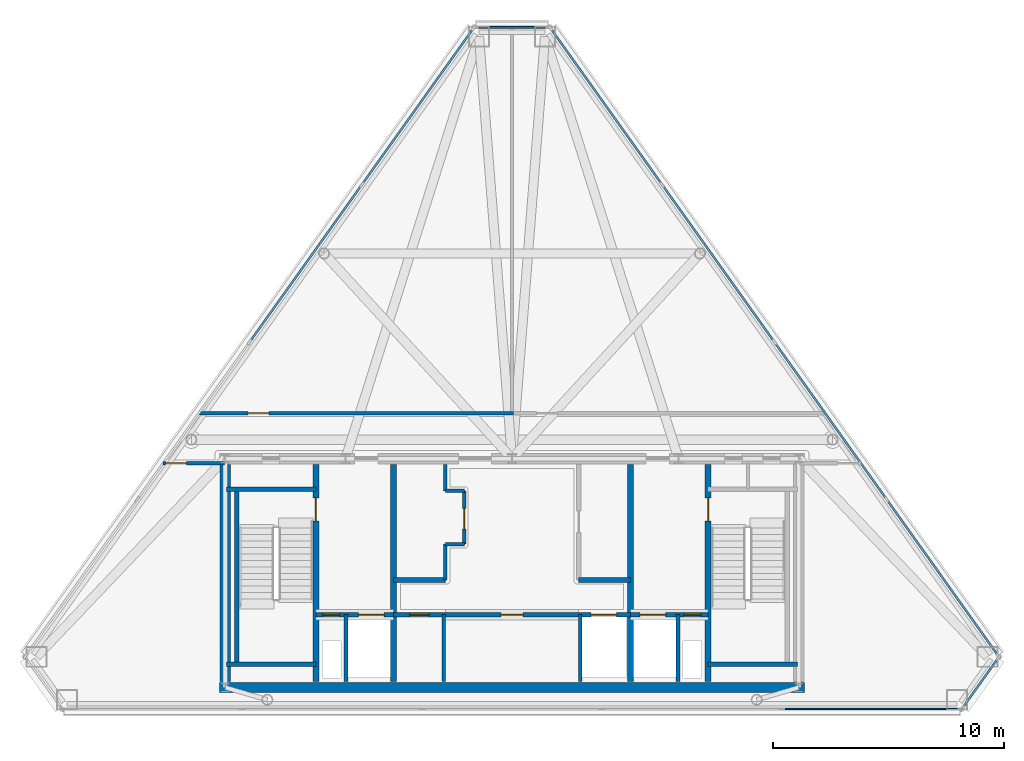
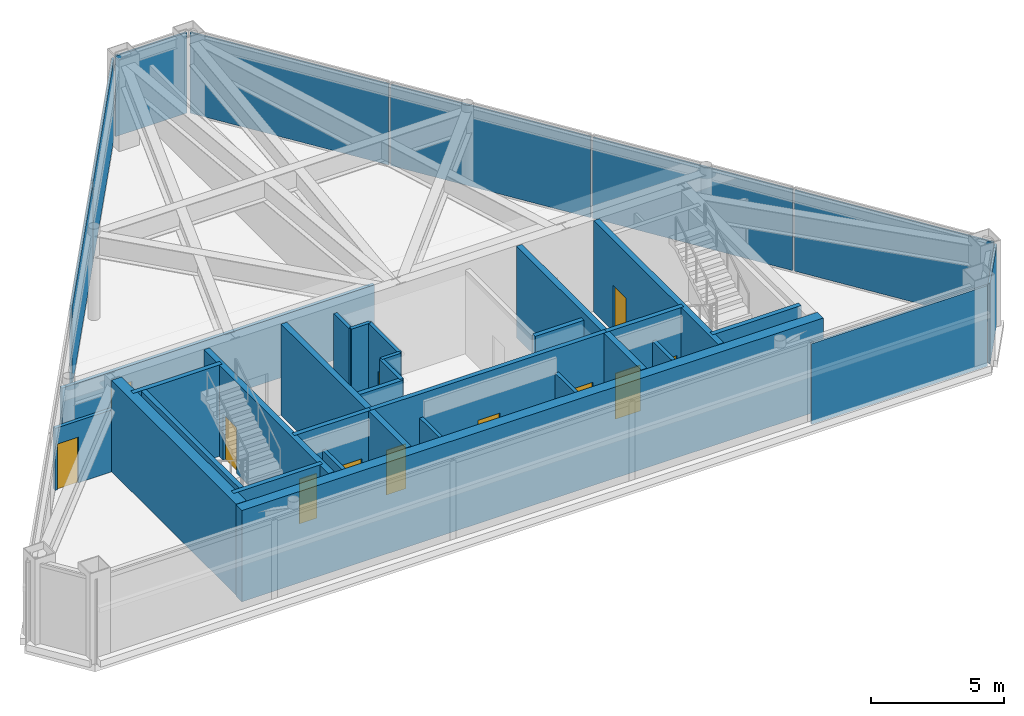
# One storey, part 3 of 5: 26 walls, 12 doors, 9 plates, 12 openings, 5 elements without a shape of their own.
"""IFC4 building model written with IfcOpenShell, lengths in metres."""

from ifc_helpers import new_model, si_unit, direction, frame, frame_2d, origin, origin_2d, place, context, subcontext, project, spatial, rectangle, extrude, source, transform, mapped, material, layer, layer_set, type_object, type_shapes, element, fill, aggregate, save


model = new_model("IFC4")

# Units and contexts
model_context = context("Model", 3, precision=1e-05, world=origin(), true_north=direction((0.0, 1.0)))
body_context = subcontext(model_context, "Body", "Model", "MODEL_VIEW")
ifc_project = project(units=[si_unit("LENGTHUNIT", "METRE"), si_unit("AREAUNIT", "SQUARE_METRE"), si_unit("VOLUMEUNIT", "CUBIC_METRE"), si_unit("PLANEANGLEUNIT", "RADIAN"), si_unit("MASSUNIT", "GRAM", prefix="KILO")], contexts=[model_context])

# Site, building, storey
site_placement = place(None, origin())
site = spatial("IfcSite", under=ifc_project, at=site_placement, CompositionType="ELEMENT")
building_placement = place(site_placement, origin())
building = spatial("IfcBuilding", under=site, at=building_placement, Name="Talgorran Terracotta Tower", CompositionType="ELEMENT")
storey_placement = place(building_placement, frame((0.0, 0.0, 301.800048828125)))
storey = spatial("IfcBuildingStorey", under=building, at=storey_placement, Name="L79", CompositionType="ELEMENT", Elevation=301.800048828125)

# Curtain wall, plate
ifc_material_1 = material(Name="Anodised Aluminium Louvre", Category="aluminium")
ifc_layer_1 = layer(ifc_material_1, 0.25, Name="CW_SYS4_LOUVRE")
ifc_layer_set_1 = layer_set([ifc_layer_1], Name="Anodised Aluminium Louvre")
curtain_wall_type = type_object("IfcCurtainWallType", Name="CW_SYS4_LOUVRE", PredefinedType="NOTDEFINED", material=ifc_layer_set_1)
curtain_wall_1_placement = place(storey_placement, origin())
curtain_wall_1 = element("IfcCurtainWall", 1, at=curtain_wall_1_placement, inside=storey, type_object=curtain_wall_type, Name="CW-L79-F2", PredefinedType="NOTDEFINED")
ifc_material_2 = material(Name="Anodised Aluminium Louvre Panel", Category="aluminium")
ifc_layer_2 = layer(ifc_material_2, 0.0849609375, Name="PLT_LOUVRE_BLADE")
ifc_layer_set_2 = layer_set([ifc_layer_2], Name="Anodised Aluminium Louvre Panel")
plate_type = type_object("IfcPlateType", Name="PLT_LOUVRE_BLADE", PredefinedType="CURTAIN_PANEL", material=ifc_layer_set_2)
shared_shape_1 = source(origin(), body_context, "Body", "SweptSolid", [
    extrude(rectangle(XDim=2.6005859375, YDim=0.0849609375, at=origin_2d()), origin(), (0.0, 0.0, 1.0), 3.7099609375),
])
plate_1_placement = place(storey_placement, frame((20.25341796875, -13.90234375, 0.0849609375), z_axis=(0.0, 0.0, 1.0), x_axis=(0.580760085543, 0.814074765018, 0.0)))
plate_1 = element("IfcPlate", 2, at=plate_1_placement, type_object=plate_type, Name="CW-L79-2 panel 1.1", PredefinedType="CURTAIN_PANEL", context=body_context, shape_type="MappedRepresentation", body=[
    mapped(shared_shape_1, transform((0.0, 0.0, 0.0), scale=1.0)),
])
aggregate(curtain_wall_1, [plate_1])

curtain_wall_2_placement = place(storey_placement, origin())
curtain_wall_2 = element("IfcCurtainWall", 3, at=curtain_wall_2_placement, inside=storey, type_object=curtain_wall_type, Name="CW-L79-F1", PredefinedType="NOTDEFINED")
shared_shape_2 = source(origin(), body_context, "Body", "SweptSolid", [
    extrude(rectangle(XDim=7.652099609375, YDim=0.0849609375, at=origin_2d()), origin(), (0.0, 0.0, 1.0), 3.7099609375),
])
plate_2_placement = place(storey_placement, frame((15.537841796875, -15.030029296875, 0.0849609375), z_axis=(0.0, 0.0, 1.0), x_axis=(1.0, 0.0, 0.0)))
plate_2 = element("IfcPlate", 4, at=plate_2_placement, type_object=plate_type, Name="CW-L79-1 panel 5.1", PredefinedType="CURTAIN_PANEL", context=body_context, shape_type="MappedRepresentation", body=[
    mapped(shared_shape_2, transform((0.0, 0.0, 0.0), scale=1.0)),
])
aggregate(curtain_wall_2, [plate_2])

# Curtain wall, plates
curtain_wall_3_placement = place(storey_placement, origin())
curtain_wall_3 = element("IfcCurtainWall", 5, at=curtain_wall_3_placement, inside=storey, type_object=curtain_wall_type, Name="CW-L79-F3", PredefinedType="NOTDEFINED")
shared_shape_3 = source(origin(), body_context, "Body", "SweptSolid", [
    extrude(rectangle(XDim=8.234375, YDim=0.0849609375, at=origin_2d()), origin(), (0.0, 0.0, 1.0), 3.7099609375),
])
plate_3_placement = place(storey_placement, frame((18.617431640625, -9.353759765625, 0.0849609375), z_axis=(0.0, 0.0, 1.0), x_axis=(-0.580758445224, 0.814075935218, 0.0)))
plate_3 = element("IfcPlate", 6, at=plate_3_placement, type_object=plate_type, Name="CW-L79-3 panel 1.1", PredefinedType="CURTAIN_PANEL", context=body_context, shape_type="MappedRepresentation", body=[
    mapped(shared_shape_3, transform((0.0, 0.0, 0.0), scale=1.0)),
])
plate_4_placement = place(storey_placement, frame((4.0732421875, 11.03369140625, 0.0849609375), z_axis=(0.0, 0.0, 1.0), x_axis=(-0.580758445224, 0.814075935218, 0.0)))
plate_4 = element("IfcPlate", 7, at=plate_4_placement, type_object=plate_type, Name="CW-L79-3 panel 4.1", PredefinedType="CURTAIN_PANEL", context=body_context, shape_type="MappedRepresentation", body=[
    mapped(shared_shape_3, transform((0.0, 0.0, 0.0), scale=1.0)),
])

# Curtain wall, plate
curtain_wall_4_placement = place(storey_placement, origin())
curtain_wall_4 = element("IfcCurtainWall", 8, at=curtain_wall_4_placement, inside=storey, type_object=curtain_wall_type, Name="CW-L79-F5", PredefinedType="NOTDEFINED")
plate_5_placement = place(storey_placement, frame((-4.0732421875, 11.03369140625, 0.0849609375), z_axis=(0.0, 0.0, 1.0), x_axis=(-0.580758445224, -0.814075935218, 0.0)))
plate_5 = element("IfcPlate", 9, at=plate_5_placement, type_object=plate_type, Name="CW-L79-5 panel 1.1", PredefinedType="CURTAIN_PANEL", context=body_context, shape_type="MappedRepresentation", body=[
    mapped(shared_shape_3, transform((0.0, 0.0, 0.0), scale=1.0)),
])

# Plate
shared_shape_4 = source(origin(), body_context, "Body", "SweptSolid", [
    extrude(rectangle(XDim=8.277099609375, YDim=0.0849609375, at=origin_2d()), origin(), (0.0, 0.0, 1.0), 3.7099609375),
])
plate_6_placement = place(storey_placement, frame((13.7734375, -2.563720703125, 0.0849609375), z_axis=(0.0, 0.0, 1.0), x_axis=(-0.580758445224, 0.814075935218, 0.0)))
plate_6 = element("IfcPlate", 10, at=plate_6_placement, type_object=plate_type, Name="CW-L79-3 panel 2.1", PredefinedType="CURTAIN_PANEL", context=body_context, shape_type="MappedRepresentation", body=[
    mapped(shared_shape_4, transform((0.0, 0.0, 0.0), scale=1.0)),
])

plate_7_placement = place(storey_placement, frame((8.917236328125, 4.24365234375, 0.0849609375), z_axis=(0.0, 0.0, 1.0), x_axis=(-0.580758445224, 0.814075935218, 0.0)))
plate_7 = element("IfcPlate", 11, at=plate_7_placement, type_object=plate_type, Name="CW-L79-3 panel 3.1", PredefinedType="CURTAIN_PANEL", context=body_context, shape_type="MappedRepresentation", body=[
    mapped(shared_shape_4, transform((0.0, 0.0, 0.0), scale=1.0)),
])

aggregate(curtain_wall_3, [plate_3, plate_6, plate_7, plate_4])

plate_8_placement = place(storey_placement, frame((-8.917236328125, 4.24365234375, 0.0849609375), z_axis=(0.0, 0.0, 1.0), x_axis=(-0.580758445224, -0.814075935218, 0.0)))
plate_8 = element("IfcPlate", 12, at=plate_8_placement, type_object=plate_type, Name="CW-L79-5 panel 2.1", PredefinedType="CURTAIN_PANEL", context=body_context, shape_type="MappedRepresentation", body=[
    mapped(shared_shape_4, transform((0.0, 0.0, 0.0), scale=1.0)),
])

aggregate(curtain_wall_4, [plate_5, plate_8])

# Curtain wall, plate
curtain_wall_5_placement = place(storey_placement, origin())
curtain_wall_5 = element("IfcCurtainWall", 13, at=curtain_wall_5_placement, inside=storey, type_object=curtain_wall_type, Name="CW-L79-F4", PredefinedType="NOTDEFINED")
shared_shape_5 = source(origin(), body_context, "Body", "SweptSolid", [
    extrude(rectangle(XDim=3.095703125, YDim=0.0849609375, at=origin_2d()), origin(), (0.0, 0.0, 1.0), 3.7099609375),
])
type_shapes(plate_type, [shared_shape_1, shared_shape_2, shared_shape_3, shared_shape_4, shared_shape_5])
plate_9_placement = place(storey_placement, frame((0.0, 14.45458984375, 0.0849609375), z_axis=(0.0, 0.0, 1.0), x_axis=(-1.0, 0.0, 0.0)))
plate_9 = element("IfcPlate", 14, at=plate_9_placement, type_object=plate_type, Name="CW-L79-4 panel 1.1", PredefinedType="CURTAIN_PANEL", context=body_context, shape_type="MappedRepresentation", body=[
    mapped(shared_shape_5, transform((0.0, 0.0, 0.0), scale=1.0)),
])
aggregate(curtain_wall_5, [plate_9])

# Walls
ifc_material_3 = material(Name="Concrete C50/60", Category="concrete")
ifc_layer_3 = layer(ifc_material_3, 0.199951171875, Name="WT_CORE_200")
ifc_layer_set_3 = layer_set([ifc_layer_3], Name="Concrete C50/60")
wall_type_1 = type_object("IfcWallType", Name="WT_CORE_200", PredefinedType="SOLIDWALL", material=ifc_layer_set_3)
for number, where, z_axis, x_axis, name in (
    (15, (-12.35009765625, -5.52001953125, 0.0), (0.0, 0.0, 1.0), (1.0, 0.0, 0.0), "WL-L79-CW-ST1-N"),
    (16, (-12.35009765625, -13.10009765625, 0.0), (0.0, 0.0, 1.0), (1.0, 0.0, 0.0), "WL-L79-CW-ST1-S"),
):
    element("IfcWall", number, at=place(storey_placement, frame(where, z_axis=z_axis, x_axis=x_axis)), inside=storey, type_object=wall_type_1, Name=name, PredefinedType="SOLIDWALL", context=body_context, shape_type="SweptSolid", body=[
        extrude(rectangle(XDim=3.8701171875, YDim=0.199951171875, at=frame_2d((1.93505859375, 0.0))), origin(), (0.0, 0.0, 1.0), 4.199951171875),
    ])
wall_1_placement = place(storey_placement, frame((-11.89990234375, -13.10009765625, 0.0), z_axis=(0.0, 0.0, 1.0), x_axis=(0.0, 1.0, 0.0)))
element("IfcWall", 17, at=wall_1_placement, inside=storey, type_object=wall_type_1, Name="WL-L79-CW-ST1-W", PredefinedType="SOLIDWALL", context=body_context, shape_type="SweptSolid", body=[
    extrude(rectangle(XDim=7.580078125, YDim=0.199951171875, at=frame_2d((3.7900390625, 0.0))), origin(), (0.0, 0.0, 1.0), 4.199951171875),
])
wall_2_placement = place(storey_placement, frame((8.47998046875, -13.10009765625, 0.0), z_axis=(0.0, 0.0, 1.0), x_axis=(1.0, 0.0, 0.0)))
element("IfcWall", 18, at=wall_2_placement, inside=storey, type_object=wall_type_1, Name="WL-L79-CW-ST2-S", PredefinedType="SOLIDWALL", context=body_context, shape_type="SweptSolid", body=[
    extrude(rectangle(XDim=3.8701171875, YDim=0.199951171875, at=frame_2d((1.93505859375, 0.0))), origin(), (0.0, 0.0, 1.0), 4.199951171875),
])

# Wall, openings, doors
wall_3_placement = place(storey_placement, frame((-8.47998046875, -10.949951171875, 0.0), z_axis=(0.0, 0.0, 1.0), x_axis=(1.0, 0.0, 0.0)))
wall_3 = element("IfcWall", 19, at=wall_3_placement, inside=storey, type_object=wall_type_1, Name="WL-L79-CW-H-SBW", PredefinedType="SOLIDWALL", context=body_context, shape_type="SweptSolid", body=[
    extrude(rectangle(XDim=3.35986328125, YDim=0.199951171875, at=frame_2d((1.679931640625, 0.0))), origin(), (0.0, 0.0, 1.0), 4.199951171875),
])
opening_1_placement = place(wall_3_placement, frame((0.280029296875, 0.0, 0.0)))
opening_1 = element("IfcOpeningElement", 20, at=opening_1_placement, cuts=wall_3, Name="Opening DR-RSW", PredefinedType="OPENING", context=body_context, shape_type="SweptSolid", body=[
    extrude(rectangle(XDim=0.756, YDim=2.054048828125, at=frame_2d((0.375, 1.027099609375))), frame((0.0, 0.10986328125, 0.0), z_axis=(0.0, -1.0, 0.0), x_axis=(1.0, 0.0, 0.0)), (0.0, 0.0, 1.0), 0.219970703125),
])
opening_2_placement = place(wall_3_placement, frame((1.85009765625, 0.0, 0.0)))
opening_2 = element("IfcOpeningElement", 21, at=opening_2_placement, cuts=wall_3, Name="Opening LD-FFL1", PredefinedType="OPENING", context=body_context, shape_type="SweptSolid", body=[
    extrude(rectangle(XDim=1.10609765625, YDim=2.10409765625, at=frame_2d((0.550048828125, 1.052001953125))), frame((0.0, 0.10986328125, 0.0), z_axis=(0.0, -1.0, 0.0), x_axis=(1.0, 0.0, 0.0)), (0.0, 0.0, 1.0), 0.219970703125),
])
ifc_material_4 = material(Name="Brushed Stainless Steel Grade 304", Category="steel")
door_type_1 = type_object("IfcDoorType", Name="DT_LIFT_LD1100", OperationType="DOUBLE_DOOR_SLIDING", PredefinedType="DOOR", material=ifc_material_4)
door_1_placement = place(opening_2_placement, origin())
door_1 = element("IfcDoor", 22, at=door_1_placement, inside=storey, type_object=door_type_1, Name="L79 Lift Landing Door LD-FFL1", OperationType="DOUBLE_DOOR_SLIDING", OverallHeight=2.10009765625, OverallWidth=1.10009765625, PredefinedType="DOOR", context=body_context, shape_type="SweptSolid", body=[
    extrude(rectangle(XDim=1.10009765625, YDim=2.10009765625, at=frame_2d((0.550048828125, 1.050048828125))), frame((0.0, 0.02490234375, 0.0), z_axis=(0.0, -1.0, 0.0), x_axis=(1.0, 0.0, 0.0)), (0.0, 0.0, 1.0), 0.050048828125),
])
fill(opening_2, door_1)
ifc_material_5 = material(Name="Fire-Rated Pressed Steel", Category="steel")
door_type_2 = type_object("IfcDoorType", Name="DT_RISER_750", OperationType="NOTDEFINED", PredefinedType="DOOR", material=ifc_material_5)
door_2_placement = place(opening_1_placement, origin())
door_2 = element("IfcDoor", 23, at=door_2_placement, inside=storey, type_object=door_type_2, Name="DR-RSW", OperationType="SINGLE_SWING_LEFT", OverallHeight=2.050048828125, OverallWidth=0.75, PredefinedType="DOOR", context=body_context, shape_type="SweptSolid", body=[
    extrude(rectangle(XDim=0.75, YDim=2.050048828125, at=frame_2d((0.375, 1.02490234375))), frame((0.0, 0.02490234375, 0.0), z_axis=(0.0, -1.0, 0.0), x_axis=(1.0, 0.0, 0.0)), (0.0, 0.0, 1.0), 0.050048828125),
])
fill(opening_1, door_2)

wall_4_placement = place(storey_placement, frame((-5.1201171875, -10.949951171875, 0.0), z_axis=(0.0, 0.0, 1.0), x_axis=(1.0, 0.0, 0.0)))
wall_4 = element("IfcWall", 24, at=wall_4_placement, inside=storey, type_object=wall_type_1, Name="WL-L79-CW-H-SBC", PredefinedType="SOLIDWALL", context=body_context, shape_type="SweptSolid", body=[
    extrude(rectangle(XDim=10.240234375, YDim=0.199951171875, at=frame_2d((5.1201171875, 0.0))), origin(), (0.0, 0.0, 1.0), 4.199951171875),
])
opening_3_placement = place(wall_4_placement, frame((0.699951171875, 0.0, 0.0)))
opening_3 = element("IfcOpeningElement", 25, at=opening_3_placement, cuts=wall_4, Name="Opening DR-CRTEL", PredefinedType="OPENING", context=body_context, shape_type="SweptSolid", body=[
    extrude(rectangle(XDim=0.85609765625, YDim=2.054048828125, at=frame_2d((0.425048828125, 1.027099609375))), frame((0.0, 0.10986328125, 0.0), z_axis=(0.0, -1.0, 0.0), x_axis=(1.0, 0.0, 0.0)), (0.0, 0.0, 1.0), 0.219970703125),
])
opening_4_placement = place(wall_4_placement, frame((4.64990234375, 0.0, 0.0)))
opening_4 = element("IfcOpeningElement", 26, at=opening_4_placement, cuts=wall_4, Name="Opening DR-FRPLH", PredefinedType="OPENING", context=body_context, shape_type="SweptSolid", body=[
    extrude(rectangle(XDim=0.955951171875, YDim=2.10409765625, at=frame_2d((0.47509765625, 1.052001953125))), frame((0.0, 0.10986328125, 0.0), z_axis=(0.0, -1.0, 0.0), x_axis=(1.0, 0.0, 0.0)), (0.0, 0.0, 1.0), 0.219970703125),
])
opening_5_placement = place(wall_4_placement, frame((8.5400390625, 0.0, 0.0)))
opening_5 = element("IfcOpeningElement", 27, at=opening_5_placement, cuts=wall_4, Name="Opening LD-SVL1", PredefinedType="OPENING", context=body_context, shape_type="SweptSolid", body=[
    extrude(rectangle(XDim=1.10609765625, YDim=2.10409765625, at=frame_2d((0.550048828125, 1.052001953125))), frame((0.0, 0.10986328125, 0.0), z_axis=(0.0, -1.0, 0.0), x_axis=(1.0, 0.0, 0.0)), (0.0, 0.0, 1.0), 0.219970703125),
])
door_type_3 = type_object("IfcDoorType", Name="DT_FIRE_850", OperationType="NOTDEFINED", PredefinedType="DOOR", material=ifc_material_5)
door_3_placement = place(opening_3_placement, origin())
door_3 = element("IfcDoor", 28, at=door_3_placement, inside=storey, type_object=door_type_3, Name="DR-CRTEL", OperationType="SINGLE_SWING_LEFT", OverallHeight=2.050048828125, OverallWidth=0.85009765625, PredefinedType="DOOR", context=body_context, shape_type="SweptSolid", body=[
    extrude(rectangle(XDim=0.85009765625, YDim=2.050048828125, at=frame_2d((0.425048828125, 1.02490234375))), frame((0.0, 0.02490234375, 0.0), z_axis=(0.0, -1.0, 0.0), x_axis=(1.0, 0.0, 0.0)), (0.0, 0.0, 1.0), 0.050048828125),
])
fill(opening_3, door_3)
ifc_material_6 = material(Name="Fire-Rated Timber Core", Category="wood")
door_type_4 = type_object("IfcDoorType", Name="DT_FIRE_950", OperationType="NOTDEFINED", PredefinedType="DOOR", material=ifc_material_6)
door_4_placement = place(opening_4_placement, origin())
door_4 = element("IfcDoor", 29, at=door_4_placement, inside=storey, type_object=door_type_4, Name="DR-FRPLH", OperationType="SINGLE_SWING_RIGHT", OverallHeight=2.10009765625, OverallWidth=0.949951171875, PredefinedType="DOOR", context=body_context, shape_type="SweptSolid", body=[
    extrude(rectangle(XDim=0.949951171875, YDim=2.10009765625, at=frame_2d((0.47509765625, 1.050048828125))), frame((0.0, 0.02490234375, 0.0), z_axis=(0.0, -1.0, 0.0), x_axis=(1.0, 0.0, 0.0)), (0.0, 0.0, 1.0), 0.050048828125),
])
fill(opening_4, door_4)
door_5_placement = place(opening_5_placement, origin())
door_5 = element("IfcDoor", 30, at=door_5_placement, inside=storey, type_object=door_type_1, Name="L79 Lift Landing Door LD-SVL1", OperationType="DOUBLE_DOOR_SLIDING", OverallHeight=2.10009765625, OverallWidth=1.10009765625, PredefinedType="DOOR", context=body_context, shape_type="SweptSolid", body=[
    extrude(rectangle(XDim=1.10009765625, YDim=2.10009765625, at=frame_2d((0.550048828125, 1.050048828125))), frame((0.0, 0.02490234375, 0.0), z_axis=(0.0, -1.0, 0.0), x_axis=(1.0, 0.0, 0.0)), (0.0, 0.0, 1.0), 0.050048828125),
])
fill(opening_5, door_5)

wall_5_placement = place(storey_placement, frame((5.1201171875, -10.949951171875, 0.0), z_axis=(0.0, 0.0, 1.0), x_axis=(1.0, 0.0, 0.0)))
wall_5 = element("IfcWall", 31, at=wall_5_placement, inside=storey, type_object=wall_type_1, Name="WL-L79-CW-H-SBE", PredefinedType="SOLIDWALL", context=body_context, shape_type="SweptSolid", body=[
    extrude(rectangle(XDim=3.35986328125, YDim=0.199951171875, at=frame_2d((1.679931640625, 0.0))), origin(), (0.0, 0.0, 1.0), 4.199951171875),
])
opening_6_placement = place(wall_5_placement, frame((0.419921875, 0.0, 0.0)))
opening_6 = element("IfcOpeningElement", 32, at=opening_6_placement, cuts=wall_5, Name="Opening LD-FFL2", PredefinedType="OPENING", context=body_context, shape_type="SweptSolid", body=[
    extrude(rectangle(XDim=1.10609765625, YDim=2.10409765625, at=frame_2d((0.550048828125, 1.052001953125))), frame((0.0, 0.10986328125, 0.0), z_axis=(0.0, -1.0, 0.0), x_axis=(1.0, 0.0, 0.0)), (0.0, 0.0, 1.0), 0.219970703125),
])
opening_7_placement = place(wall_5_placement, frame((2.300048828125, 0.0, 0.0)))
opening_7 = element("IfcOpeningElement", 33, at=opening_7_placement, cuts=wall_5, Name="Opening DR-RSE", PredefinedType="OPENING", context=body_context, shape_type="SweptSolid", body=[
    extrude(rectangle(XDim=0.756, YDim=2.054048828125, at=frame_2d((0.375, 1.027099609375))), frame((0.0, 0.10986328125, 0.0), z_axis=(0.0, -1.0, 0.0), x_axis=(1.0, 0.0, 0.0)), (0.0, 0.0, 1.0), 0.219970703125),
])
door_6_placement = place(opening_6_placement, origin())
door_6 = element("IfcDoor", 34, at=door_6_placement, inside=storey, type_object=door_type_1, Name="L79 Lift Landing Door LD-FFL2", OperationType="DOUBLE_DOOR_SLIDING", OverallHeight=2.10009765625, OverallWidth=1.10009765625, PredefinedType="DOOR", context=body_context, shape_type="SweptSolid", body=[
    extrude(rectangle(XDim=1.10009765625, YDim=2.10009765625, at=frame_2d((0.550048828125, 1.050048828125))), frame((0.0, 0.02490234375, 0.0), z_axis=(0.0, -1.0, 0.0), x_axis=(1.0, 0.0, 0.0)), (0.0, 0.0, 1.0), 0.050048828125),
])
fill(opening_6, door_6)
door_7_placement = place(opening_7_placement, origin())
door_7 = element("IfcDoor", 35, at=door_7_placement, inside=storey, type_object=door_type_2, Name="DR-RSE", OperationType="SINGLE_SWING_RIGHT", OverallHeight=2.050048828125, OverallWidth=0.75, PredefinedType="DOOR", context=body_context, shape_type="SweptSolid", body=[
    extrude(rectangle(XDim=0.75, YDim=2.050048828125, at=frame_2d((0.375, 1.02490234375))), frame((0.0, 0.02490234375, 0.0), z_axis=(0.0, -1.0, 0.0), x_axis=(1.0, 0.0, 0.0)), (0.0, 0.0, 1.0), 0.050048828125),
])
fill(opening_7, door_7)

# Walls
for number, where, z_axis, x_axis, name in (
    (36, (-5.1201171875, -9.449951171875, 0.0), (0.0, 0.0, 1.0), (1.0, 0.0, 0.0), "WL-L79-CW-H-W4"),
    (37, (2.8798828125, -9.449951171875, 0.0), (0.0, 0.0, 1.0), (1.0, 0.0, 0.0), "WL-L79-CW-H-E4"),
):
    element("IfcWall", number, at=place(storey_placement, frame(where, z_axis=z_axis, x_axis=x_axis)), inside=storey, type_object=wall_type_1, Name=name, PredefinedType="SOLIDWALL", context=body_context, shape_type="SweptSolid", body=[
        extrude(rectangle(XDim=2.240234375, YDim=0.199951171875, at=frame_2d((1.1201171875, 0.0))), origin(), (0.0, 0.0, 1.0), 3.8798828125),
    ])

# Wall, opening, door
ifc_layer_4 = layer(ifc_material_3, 0.25, Name="WT_CORE_250")
ifc_layer_set_4 = layer_set([ifc_layer_4], Name="Concrete C50/60")
wall_type_2 = type_object("IfcWallType", Name="WT_CORE_250", PredefinedType="SHEAR", material=ifc_layer_set_4)
wall_6_placement = place(storey_placement, frame((-8.47998046875, -13.85009765625, 0.0), z_axis=(0.0, 0.0, 1.0), x_axis=(0.0, 1.0, 0.0)))
wall_6 = element("IfcWall", 38, at=wall_6_placement, inside=storey, type_object=wall_type_2, Name="WL-L79-CW-V-W1", PredefinedType="SHEAR", context=body_context, shape_type="SweptSolid", body=[
    extrude(rectangle(XDim=9.400146484375, YDim=0.25, at=frame_2d((4.7001953125, 0.0))), origin(), (0.0, 0.0, 1.0), 4.199951171875),
])
opening_8_placement = place(wall_6_placement, frame((6.949951171875, 0.0, 0.0)))
opening_8 = element("IfcOpeningElement", 39, at=opening_8_placement, cuts=wall_6, Name="Opening DR-ST01", PredefinedType="OPENING", context=body_context, shape_type="SweptSolid", body=[
    extrude(rectangle(XDim=1.006, YDim=2.10409765625, at=frame_2d((0.5, 1.052001953125))), frame((0.0, 0.135009765625, 0.0), z_axis=(0.0, -1.0, 0.0), x_axis=(1.0, 0.0, 0.0)), (0.0, 0.0, 1.0), 0.27001953125),
])
door_type_5 = type_object("IfcDoorType", Name="DT_FIRE_1000", OperationType="NOTDEFINED", PredefinedType="DOOR", material=ifc_material_5)
door_8_placement = place(opening_8_placement, origin())
door_8 = element("IfcDoor", 40, at=door_8_placement, inside=storey, type_object=door_type_5, Name="DR-ST01", OperationType="SINGLE_SWING_LEFT", OverallHeight=2.10009765625, OverallWidth=1.0, PredefinedType="DOOR", context=body_context, shape_type="SweptSolid", body=[
    extrude(rectangle(XDim=1.0, YDim=2.10009765625, at=frame_2d((0.5, 1.050048828125))), frame((0.0, 0.02490234375, 0.0), z_axis=(0.0, -1.0, 0.0), x_axis=(1.0, 0.0, 0.0)), (0.0, 0.0, 1.0), 0.050048828125),
])
fill(opening_8, door_8)

wall_7_placement = place(storey_placement, frame((8.47998046875, -13.85009765625, 0.0), z_axis=(0.0, 0.0, 1.0), x_axis=(0.0, 1.0, 0.0)))
wall_7 = element("IfcWall", 41, at=wall_7_placement, inside=storey, type_object=wall_type_2, Name="WL-L79-CW-V-E1", PredefinedType="SHEAR", context=body_context, shape_type="SweptSolid", body=[
    extrude(rectangle(XDim=9.400146484375, YDim=0.25, at=frame_2d((4.7001953125, 0.0))), origin(), (0.0, 0.0, 1.0), 4.199951171875),
])
opening_9_placement = place(wall_7_placement, frame((6.949951171875, 0.0, 0.0)))
opening_9 = element("IfcOpeningElement", 42, at=opening_9_placement, cuts=wall_7, Name="Opening DR-ST02", PredefinedType="OPENING", context=body_context, shape_type="SweptSolid", body=[
    extrude(rectangle(XDim=1.006, YDim=2.10409765625, at=frame_2d((0.5, 1.052001953125))), frame((0.0, 0.135009765625, 0.0), z_axis=(0.0, -1.0, 0.0), x_axis=(1.0, 0.0, 0.0)), (0.0, 0.0, 1.0), 0.27001953125),
])
door_9_placement = place(opening_9_placement, origin())
door_9 = element("IfcDoor", 43, at=door_9_placement, inside=storey, type_object=door_type_5, Name="DR-ST02", OperationType="SINGLE_SWING_RIGHT", OverallHeight=2.10009765625, OverallWidth=1.0, PredefinedType="DOOR", context=body_context, shape_type="SweptSolid", body=[
    extrude(rectangle(XDim=1.0, YDim=2.10009765625, at=frame_2d((0.5, 1.050048828125))), frame((0.0, 0.02490234375, 0.0), z_axis=(0.0, -1.0, 0.0), x_axis=(1.0, 0.0, 0.0)), (0.0, 0.0, 1.0), 0.050048828125),
])
fill(opening_9, door_9)

# Walls
for number, where, z_axis, x_axis, name in (
    (44, (-5.1201171875, -13.85009765625, 0.0), (0.0, 0.0, 1.0), (0.0, 1.0, 0.0), "WL-L79-CW-V-W2"),
    (45, (5.1201171875, -13.85009765625, 0.0), (0.0, 0.0, 1.0), (0.0, 1.0, 0.0), "WL-L79-CW-V-E2"),
):
    element("IfcWall", number, at=place(storey_placement, frame(where, z_axis=z_axis, x_axis=x_axis)), inside=storey, type_object=wall_type_2, Name=name, PredefinedType="SHEAR", context=body_context, shape_type="SweptSolid", body=[
        extrude(rectangle(XDim=9.400146484375, YDim=0.25, at=frame_2d((4.7001953125, 0.0))), origin(), (0.0, 0.0, 1.0), 4.199951171875),
    ])
ifc_material_7 = material(Name="Concrete C65/80", Category="concrete")
ifc_layer_5 = layer(ifc_material_7, 0.449951171875, Name="WT_CORE_EXT")
ifc_layer_set_5 = layer_set([ifc_layer_5], Name="Concrete C65/80")
wall_type_3 = type_object("IfcWallType", Name="WT_CORE_EXT", PredefinedType="SHEAR", material=ifc_layer_set_5)
wall_8_placement = place(storey_placement, frame((-12.64990234375, -14.10009765625, 0.0), z_axis=(0.0, 0.0, 1.0), x_axis=(1.0, 0.0, 0.0)))
element("IfcWall", 46, at=wall_8_placement, inside=storey, type_object=wall_type_3, Name="WL-L79-CW-OUT-S", PredefinedType="SHEAR", context=body_context, shape_type="SweptSolid", body=[
    extrude(rectangle(XDim=25.2998046875, YDim=0.449951171875, at=frame_2d((12.64990234375, 0.0))), origin(), (0.0, 0.0, 1.0), 4.199951171875),
])
wall_9_placement = place(storey_placement, frame((-12.39990234375, -13.85009765625, 0.0), z_axis=(0.0, 0.0, 1.0), x_axis=(0.0, 1.0, 0.0)))
element("IfcWall", 47, at=wall_9_placement, inside=storey, type_object=wall_type_3, Name="WL-L79-CW-OUT-W", PredefinedType="SHEAR", context=body_context, shape_type="SweptSolid", body=[
    extrude(rectangle(XDim=9.400146484375, YDim=0.449951171875, at=frame_2d((4.7001953125, 0.0))), origin(), (0.0, 0.0, 1.0), 4.199951171875),
])
ifc_material_8 = material(Name="Fire-Rated Steel Stud Plasterboard", Category="steel")
ifc_layer_6 = layer(ifc_material_8, 0.14990234375, Name="WT_FIRE_150")
ifc_layer_set_6 = layer_set([ifc_layer_6], Name="Fire-Rated Steel Stud Plasterboard")
wall_type_4 = type_object("IfcWallType", Name="WT_FIRE_150", PredefinedType="PARTITIONING", material=ifc_layer_set_6)
wall_10_placement = place(storey_placement, frame((-2.8798828125, -9.449951171875, 0.0), z_axis=(0.0, 0.0, 1.0), x_axis=(0.0, 1.0, 0.0)))
element("IfcWall", 48, at=wall_10_placement, inside=storey, type_object=wall_type_4, Name="WL-L79-CW-V-W3A", PredefinedType="PARTITIONING", context=body_context, shape_type="SweptSolid", body=[
    extrude(rectangle(XDim=1.550048828125, YDim=0.14990234375, at=frame_2d((0.77490234375, 0.0))), origin(), (0.0, 0.0, 1.0), 3.8798828125),
])
wall_11_placement = place(storey_placement, frame((-2.8798828125, -7.89990234375, 0.0), z_axis=(0.0, 0.0, 1.0), x_axis=(1.0, 0.0, 0.0)))
element("IfcWall", 49, at=wall_11_placement, inside=storey, type_object=wall_type_4, Name="WL-L79-CW-H-W3B", PredefinedType="PARTITIONING", context=body_context, shape_type="SweptSolid", body=[
    extrude(rectangle(XDim=0.81982421875, YDim=0.14990234375, at=frame_2d((0.409912109375, 0.0))), origin(), (0.0, 0.0, 1.0), 3.8798828125),
])

# Wall, opening, door
wall_12_placement = place(storey_placement, frame((-2.06005859375, -7.89990234375, 0.0), z_axis=(0.0, 0.0, 1.0), x_axis=(0.0, 1.0, 0.0)))
wall_12 = element("IfcWall", 50, at=wall_12_placement, inside=storey, type_object=wall_type_4, Name="WL-L79-CW-V-W3C", PredefinedType="PARTITIONING", context=body_context, shape_type="SweptSolid", body=[
    extrude(rectangle(XDim=2.2998046875, YDim=0.14990234375, at=frame_2d((1.14990234375, 0.0))), origin(), (0.0, 0.0, 1.0), 3.8798828125),
])
opening_10_placement = place(wall_12_placement, frame((0.64990234375, 0.0, 0.0)))
opening_10 = element("IfcOpeningElement", 51, at=opening_10_placement, cuts=wall_12, Name="Opening DR-FRPLL-B", PredefinedType="OPENING", context=body_context, shape_type="SweptSolid", body=[
    extrude(rectangle(XDim=0.8858828125, YDim=2.10409765625, at=frame_2d((0.43994140625, 1.052001953125))), frame((0.0, 0.0849609375, 0.0), z_axis=(0.0, -1.0, 0.0), x_axis=(1.0, 0.0, 0.0)), (0.0, 0.0, 1.0), 0.169921875),
])
ifc_material_9 = material(Name="Solid-Core Painted Timber", Category="wood")
door_type_6 = type_object("IfcDoorType", Name="DT_INT_880", OperationType="NOTDEFINED", PredefinedType="DOOR", material=ifc_material_9)
door_10_placement = place(opening_10_placement, origin())
door_10 = element("IfcDoor", 52, at=door_10_placement, inside=storey, type_object=door_type_6, Name="DR-FRPLL-B", OperationType="SINGLE_SWING_LEFT", OverallHeight=2.10009765625, OverallWidth=0.8798828125, PredefinedType="DOOR", context=body_context, shape_type="SweptSolid", body=[
    extrude(rectangle(XDim=0.8798828125, YDim=2.10009765625, at=frame_2d((0.43994140625, 1.050048828125))), frame((0.0, 0.02490234375, 0.0), z_axis=(0.0, -1.0, 0.0), x_axis=(1.0, 0.0, 0.0)), (0.0, 0.0, 1.0), 0.050048828125),
])
fill(opening_10, door_10)

# Walls
wall_13_placement = place(storey_placement, frame((-2.8798828125, -5.60009765625, 0.0), z_axis=(0.0, 0.0, 1.0), x_axis=(1.0, 0.0, 0.0)))
element("IfcWall", 53, at=wall_13_placement, inside=storey, type_object=wall_type_4, Name="WL-L79-CW-H-W3D", PredefinedType="PARTITIONING", context=body_context, shape_type="SweptSolid", body=[
    extrude(rectangle(XDim=0.81982421875, YDim=0.14990234375, at=frame_2d((0.409912109375, 0.0))), origin(), (0.0, 0.0, 1.0), 3.8798828125),
])
wall_14_placement = place(storey_placement, frame((-2.8798828125, -5.60009765625, 0.0), z_axis=(0.0, 0.0, 1.0), x_axis=(0.0, 1.0, 0.0)))
element("IfcWall", 54, at=wall_14_placement, inside=storey, type_object=wall_type_4, Name="WL-L79-CW-V-W3E", PredefinedType="PARTITIONING", context=body_context, shape_type="SweptSolid", body=[
    extrude(rectangle(XDim=1.150146484375, YDim=0.14990234375, at=frame_2d((0.5751953125, 0.0))), origin(), (0.0, 0.0, 1.0), 3.8798828125),
])

# Wall, opening, door
wall_15_placement = place(storey_placement, frame((-13.542724609375, -2.239990234375, 0.0), z_axis=(0.0, 0.0, 1.0), x_axis=(1.0, 0.0, 0.0)))
wall_15 = element("IfcWall", 55, at=wall_15_placement, inside=storey, type_object=wall_type_4, Name="WL-L79-W-L79-R03", PredefinedType="PARTITIONING", context=body_context, shape_type="SweptSolid", body=[
    extrude(rectangle(XDim=13.602783203125, YDim=0.14990234375, at=frame_2d((6.80126953125, 0.0))), origin(), (0.0, 0.0, 1.0), 2.85498046875),
])
opening_11_placement = place(wall_15_placement, frame((2.1337890625, 0.0, 0.0)))
opening_11 = element("IfcOpeningElement", 56, at=opening_11_placement, cuts=wall_15, Name="Opening DR-L79-R03", PredefinedType="OPENING", context=body_context, shape_type="SweptSolid", body=[
    extrude(rectangle(XDim=0.90590234375, YDim=2.10409765625, at=frame_2d((0.449951171875, 1.052001953125))), frame((0.0, 0.0849609375, 0.0), z_axis=(0.0, -1.0, 0.0), x_axis=(1.0, 0.0, 0.0)), (0.0, 0.0, 1.0), 0.169921875),
])
door_type_7 = type_object("IfcDoorType", Name="DT_FIRE_900", OperationType="NOTDEFINED", PredefinedType="DOOR", material=ifc_material_6)
door_11_placement = place(opening_11_placement, origin())
door_11 = element("IfcDoor", 57, at=door_11_placement, inside=storey, type_object=door_type_7, Name="DR-L79-R03", OperationType="SINGLE_SWING_LEFT", OverallHeight=2.10009765625, OverallWidth=0.89990234375, PredefinedType="DOOR", context=body_context, shape_type="SweptSolid", body=[
    extrude(rectangle(XDim=0.89990234375, YDim=2.10009765625, at=frame_2d((0.449951171875, 1.050048828125))), frame((0.0, 0.02490234375, 0.0), z_axis=(0.0, -1.0, 0.0), x_axis=(1.0, 0.0, 0.0)), (0.0, 0.0, 1.0), 0.050048828125),
])
fill(opening_11, door_11)

wall_16_placement = place(storey_placement, frame((-15.08349609375, -4.39990234375, 0.0), z_axis=(0.0, 0.0, 1.0), x_axis=(1.0, 0.0, 0.0)))
wall_16 = element("IfcWall", 58, at=wall_16_placement, inside=storey, type_object=wall_type_4, Name="WL-L79-W-L79-R01", PredefinedType="PARTITIONING", context=body_context, shape_type="SweptSolid", body=[
    extrude(rectangle(XDim=2.6435546875, YDim=0.14990234375, at=frame_2d((1.32177734375, 0.0))), origin(), (0.0, 0.0, 1.0), 2.85498046875),
])
opening_12_placement = place(wall_16_placement, frame((0.10009765625, 0.0, 0.0)))
opening_12 = element("IfcOpeningElement", 59, at=opening_12_placement, cuts=wall_16, Name="Opening DR-L79-R01", PredefinedType="OPENING", context=body_context, shape_type="SweptSolid", body=[
    extrude(rectangle(XDim=0.90590234375, YDim=2.10409765625, at=frame_2d((0.449951171875, 1.052001953125))), frame((0.0, 0.0849609375, 0.0), z_axis=(0.0, -1.0, 0.0), x_axis=(1.0, 0.0, 0.0)), (0.0, 0.0, 1.0), 0.169921875),
])
door_12_placement = place(opening_12_placement, origin())
door_12 = element("IfcDoor", 60, at=door_12_placement, inside=storey, type_object=door_type_7, Name="DR-L79-R01", OperationType="SINGLE_SWING_LEFT", OverallHeight=2.10009765625, OverallWidth=0.89990234375, PredefinedType="DOOR", context=body_context, shape_type="SweptSolid", body=[
    extrude(rectangle(XDim=0.89990234375, YDim=2.10009765625, at=frame_2d((0.449951171875, 1.050048828125))), frame((0.0, 0.02490234375, 0.0), z_axis=(0.0, -1.0, 0.0), x_axis=(1.0, 0.0, 0.0)), (0.0, 0.0, 1.0), 0.050048828125),
])
fill(opening_12, door_12)

# Walls
ifc_material_10 = material(Name="Fire-Rated Shaftwall")
ifc_layer_7 = layer(ifc_material_10, 0.159912109375, Name="WT_PART_150")
ifc_layer_set_7 = layer_set([ifc_layer_7], Name="Fire-Rated Shaftwall")
wall_type_5 = type_object("IfcWallType", Name="WT_PART_150", PredefinedType="PARTITIONING", material=ifc_layer_set_7)
for number, where, z_axis, x_axis, name in (
    (61, (-7.179931640625, -13.85009765625, 0.0), (0.0, 0.0, 1.0), (0.0, 1.0, 0.0), "WL-L79-CW-RSW"),
    (62, (7.179931640625, -13.85009765625, 0.0), (0.0, 0.0, 1.0), (0.0, 1.0, 0.0), "WL-L79-CW-RSE"),
    (63, (-2.949951171875, -13.85009765625, 0.0), (0.0, 0.0, 1.0), (0.0, 1.0, 0.0), "WL-L79-CW-OB-E"),
    (64, (2.949951171875, -13.85009765625, 0.0), (0.0, 0.0, 1.0), (0.0, 1.0, 0.0), "WL-L79-CW-SV-W"),
):
    element("IfcWall", number, at=place(storey_placement, frame(where, z_axis=z_axis, x_axis=x_axis)), inside=storey, type_object=wall_type_5, Name=name, PredefinedType="PARTITIONING", context=body_context, shape_type="SweptSolid", body=[
        extrude(rectangle(XDim=2.900146484375, YDim=0.159912109375, at=frame_2d((1.4501953125, 0.0))), origin(), (0.0, 0.0, 1.0), 3.10498046875),
    ])

save(model, "model.ifc")
